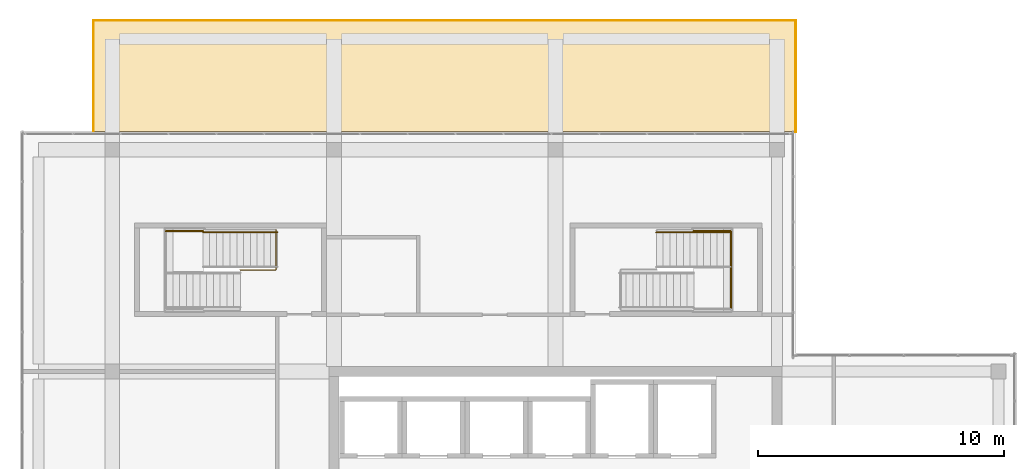
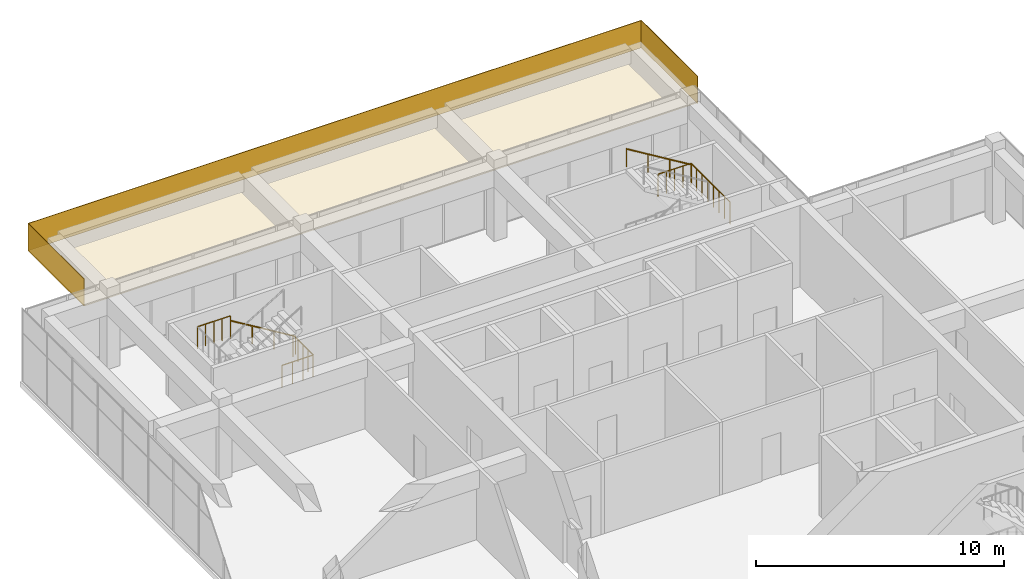
# One storey, part 35 of 35: 6 railings, 2 coverings.
"""IFC4 building model written with IfcOpenShell, lengths in metres."""

from ifc_helpers import new_model, si_unit, direction, frame, origin, origin_2d, place, context, subcontext, project, spatial, polyline, circle, outline, extrude, material, layer, layer_set, type_object, element, save


model = new_model("IFC4")

# Units and contexts
model_context = context("Model", 3, precision=1e-05, world=origin(), true_north=direction((0.0, 1.0)))
body_context = subcontext(model_context, "Body", "Model", "MODEL_VIEW")
ifc_project = project(units=[si_unit("LENGTHUNIT", "METRE"), si_unit("AREAUNIT", "SQUARE_METRE"), si_unit("VOLUMEUNIT", "CUBIC_METRE"), si_unit("PLANEANGLEUNIT", "RADIAN"), si_unit("MASSUNIT", "GRAM", prefix="KILO")], contexts=[model_context])

# Site, building, storey
site_placement = place(None, origin())
site = spatial("IfcSite", under=ifc_project, at=site_placement, CompositionType="ELEMENT")
building_placement = place(site_placement, origin())
building = spatial("IfcBuilding", under=site, at=building_placement, Name="Tuart Plaza Theatre", CompositionType="ELEMENT")
storey_placement = place(building_placement, frame((0.0, 0.0, 49.5)))
storey = spatial("IfcBuildingStorey", under=building, at=storey_placement, Name="L12", CompositionType="ELEMENT", Elevation=49.5)

# Coverings
ifc_material_1 = material(Name="Zinc")
ifc_layer_1 = layer(ifc_material_1, 0.02490234375)
ifc_layer_set_1 = layer_set([ifc_layer_1], Name="COVERING-ZINC-FASCIA25")
covering_type_1 = type_object("IfcCoveringType", Name="COVERING-ZINC-FASCIA25", PredefinedType="CLADDING", material=ifc_layer_set_1)
covering_1_placement = place(storey_placement, frame((0.0, 0.0, 2.655029296875)))
element("IfcCovering", 1, at=covering_1_placement, inside=storey, type_object=covering_type_1, Name="CL93", PredefinedType="CLADDING", context=body_context, shape_type="SweptSolid", body=[
    extrude(outline(polyline([(141.77490234375, 92.72509765625), (141.750244140625, 92.72509765625), (141.750244140625, 92.75), (141.750244140625, 92.75), (141.750244140625, 92.75), (141.750244140625, 92.75), (141.75, 92.75), (141.75, 92.750244140625), (141.75, 92.750244140625), (141.75, 92.750244140625), (141.75, 92.750244140625), (141.75, 97.25), (113.25, 97.25), (113.25, 92.750244140625), (113.22509765625, 92.750244140625), (113.22509765625, 97.27490234375), (141.77490234375, 97.27490234375), (141.77490234375, 92.72509765625)])), origin(), (0.0, 0.0, 1.0), 1.344970703125),
])
ifc_material_2 = material(Name="Zinc")
ifc_layer_2 = layer(ifc_material_2, 0.02490234375)
ifc_layer_set_2 = layer_set([ifc_layer_2], Name="COVERING-ZINC-SOFFIT25")
covering_type_2 = type_object("IfcCoveringType", Name="COVERING-ZINC-SOFFIT25", PredefinedType="CLADDING", material=ifc_layer_set_2)
covering_2_placement = place(storey_placement, frame((0.0, 0.0, 2.655029296875)))
element("IfcCovering", 2, at=covering_2_placement, inside=storey, type_object=covering_type_2, Name="CL92", PredefinedType="CLADDING", context=body_context, shape_type="SweptSolid", body=[
    extrude(outline(polyline([(113.25, 97.25), (141.75, 97.25), (141.75, 92.75), (113.25, 92.75), (113.25, 97.25)])), origin(), (0.0, 0.0, 1.0), 0.02490234375),
])

# Railings
ifc_material_3 = material(Name="Steel Grade C350L0", Category="steel")
railing_type_1 = type_object("IfcRailingType", Name="RAILING Guard 1100", PredefinedType="GUARDRAIL", material=ifc_material_3)
railing_1_placement = place(storey_placement, frame((139.1298828125, 85.550048828125, 2.0)))
element("IfcRailing", 3, at=railing_1_placement, inside=storey, type_object=railing_type_1, Name="GR341", PredefinedType="GUARDRAIL", context=body_context, shape_type="SweptSolid", body=[
    extrude(circle(Radius=0.02490234375, at=origin_2d()), frame((0.0, 0.0, 1.0751953125), z_axis=(0.0, 1.0, 0.0), x_axis=(-1.0, 0.0, 0.0)), (0.0, 0.0, 1.0), 3.14990234375),
    extrude(circle(Radius=0.02001953125, at=origin_2d()), origin(), (0.0, 0.0, 1.0), 1.050048828125),
    extrude(circle(Radius=0.02001953125, at=origin_2d()), frame((0.0, 0.449951171875, 0.0)), (0.0, 0.0, 1.0), 1.050048828125),
    extrude(circle(Radius=0.02001953125, at=origin_2d()), frame((0.0, 0.89990234375, 0.0)), (0.0, 0.0, 1.0), 1.050048828125),
    extrude(circle(Radius=0.02001953125, at=origin_2d()), frame((0.0, 1.349853515625, 0.0)), (0.0, 0.0, 1.0), 1.050048828125),
    extrude(circle(Radius=0.02001953125, at=origin_2d()), frame((0.0, 1.800048828125, 0.0)), (0.0, 0.0, 1.0), 1.050048828125),
    extrude(circle(Radius=0.02001953125, at=origin_2d()), frame((0.0, 2.25, 0.0)), (0.0, 0.0, 1.0), 1.050048828125),
    extrude(circle(Radius=0.02001953125, at=origin_2d()), frame((0.0, 2.699951171875, 0.0)), (0.0, 0.0, 1.0), 1.050048828125),
    extrude(circle(Radius=0.02001953125, at=origin_2d()), frame((0.0, 3.14990234375, 0.0)), (0.0, 0.0, 1.0), 1.050048828125),
])
railing_2_placement = place(storey_placement, frame((139.1298828125, 88.699951171875, 2.0)))
element("IfcRailing", 4, at=railing_2_placement, inside=storey, type_object=railing_type_1, Name="GR342", PredefinedType="GUARDRAIL", context=body_context, shape_type="SweptSolid", body=[
    extrude(circle(Radius=0.02490234375, at=origin_2d()), frame((0.0, 0.0, 1.0751953125), z_axis=(-1.0, 0.0, 0.0), x_axis=(0.0, -1.0, 0.0)), (0.0, 0.0, 1.0), 1.52978515625),
    extrude(circle(Radius=0.02001953125, at=origin_2d()), origin(), (0.0, 0.0, 1.0), 1.050048828125),
    extrude(circle(Radius=0.02001953125, at=origin_2d()), frame((-0.38232421875, 0.0, 0.0)), (0.0, 0.0, 1.0), 1.050048828125),
    extrude(circle(Radius=0.02001953125, at=origin_2d()), frame((-0.764892578125, 0.0, 0.0)), (0.0, 0.0, 1.0), 1.050048828125),
    extrude(circle(Radius=0.02001953125, at=origin_2d()), frame((-1.1474609375, 0.0, 0.0)), (0.0, 0.0, 1.0), 1.050048828125),
    extrude(circle(Radius=0.02001953125, at=origin_2d()), frame((-1.52978515625, 0.0, 0.0)), (0.0, 0.0, 1.0), 1.050048828125),
])
railing_3_placement = place(storey_placement, frame((120.64501953125, 88.75, 0.0)))
element("IfcRailing", 5, at=railing_3_placement, inside=storey, type_object=railing_type_1, Name="GR412", PredefinedType="GUARDRAIL", context=body_context, shape_type="SweptSolid", body=[
    extrude(circle(Radius=0.02490234375, at=origin_2d()), frame((0.0, 0.0, 1.0751953125), z_axis=(0.0, -1.0, 0.0), x_axis=(1.0, 0.0, 0.0)), (0.0, 0.0, 1.0), 1.625),
    extrude(circle(Radius=0.02490234375, at=origin_2d()), frame((0.0, -1.625, 1.0751953125), z_axis=(-1.0, 0.0, 0.0), x_axis=(0.0, -1.0, 0.0)), (0.0, 0.0, 1.0), 1.455078125),
    extrude(circle(Radius=0.02001953125, at=origin_2d()), origin(), (0.0, 0.0, 1.0), 1.050048828125),
    extrude(circle(Radius=0.02001953125, at=origin_2d()), frame((0.0, -0.40625, 0.0)), (0.0, 0.0, 1.0), 1.050048828125),
    extrude(circle(Radius=0.02001953125, at=origin_2d()), frame((0.0, -0.8125, 0.0)), (0.0, 0.0, 1.0), 1.050048828125),
    extrude(circle(Radius=0.02001953125, at=origin_2d()), frame((0.0, -1.21875, 0.0)), (0.0, 0.0, 1.0), 1.050048828125),
    extrude(circle(Radius=0.02001953125, at=origin_2d()), frame((0.0, -1.625, 0.0)), (0.0, 0.0, 1.0), 1.050048828125),
    extrude(circle(Radius=0.02001953125, at=origin_2d()), frame((-0.485107421875, -1.625, 0.0)), (0.0, 0.0, 1.0), 1.050048828125),
    extrude(circle(Radius=0.02001953125, at=origin_2d()), frame((-0.969970703125, -1.625, 0.0)), (0.0, 0.0, 1.0), 1.050048828125),
    extrude(circle(Radius=0.02001953125, at=origin_2d()), frame((-1.455078125, -1.625, 0.0)), (0.0, 0.0, 1.0), 1.050048828125),
])
railing_4_placement = place(storey_placement, frame((117.699951171875, 88.699951171875, 2.0)))
element("IfcRailing", 6, at=railing_4_placement, inside=storey, type_object=railing_type_1, Name="GR419", PredefinedType="GUARDRAIL", context=body_context, shape_type="SweptSolid", body=[
    extrude(circle(Radius=0.02490234375, at=origin_2d()), frame((0.0, 0.0, 1.0751953125), z_axis=(-1.0, 0.0, 0.0), x_axis=(0.0, -1.0, 0.0)), (0.0, 0.0, 1.0), 1.530029296875),
    extrude(circle(Radius=0.02001953125, at=origin_2d()), origin(), (0.0, 0.0, 1.0), 1.050048828125),
    extrude(circle(Radius=0.02001953125, at=origin_2d()), frame((-0.382568359375, 0.0, 0.0)), (0.0, 0.0, 1.0), 1.050048828125),
    extrude(circle(Radius=0.02001953125, at=origin_2d()), frame((-0.76513671875, 0.0, 0.0)), (0.0, 0.0, 1.0), 1.050048828125),
    extrude(circle(Radius=0.02001953125, at=origin_2d()), frame((-1.1474609375, 0.0, 0.0)), (0.0, 0.0, 1.0), 1.050048828125),
    extrude(circle(Radius=0.02001953125, at=origin_2d()), frame((-1.530029296875, 0.0, 0.0)), (0.0, 0.0, 1.0), 1.050048828125),
])
ifc_material_4 = material(Name="Steel Grade C350L0", Category="steel")
railing_type_2 = type_object("IfcRailingType", Name="RAILING Handrail 900", PredefinedType="HANDRAIL", material=ifc_material_4)
for number, where, name in (
    (7, (139.1201171875, 88.64990234375, 2.166748046875), "HR230"),
    (8, (120.705078125, 88.64990234375, 0.166748046875), "HR292"),
):
    element("IfcRailing", number, at=place(storey_placement, frame(where)), inside=storey, type_object=railing_type_2, Name=name, PredefinedType="HANDRAIL", context=body_context, shape_type="SweptSolid", body=[
        extrude(circle(Radius=0.0224609375, at=origin_2d()), frame((0.0, 0.0, 0.87744140625), z_axis=(-0.855219153138, 0.0, 0.518266533848), x_axis=(0.0, -1.0, 0.0)), (0.0, 0.0, 1.0), 3.537353515625),
        extrude(circle(Radius=0.01513671875, at=origin_2d()), origin(), (0.0, 0.0, 1.0), 0.85498046875),
        extrude(circle(Radius=0.01513671875, at=origin_2d()), frame((-1.00830078125, 0.0, 0.611083984375)), (0.0, 0.0, 1.0), 0.85498046875),
        extrude(circle(Radius=0.01513671875, at=origin_2d()), frame((-2.016845703125, 0.0, 1.22216796875)), (0.0, 0.0, 1.0), 0.85498046875),
        extrude(circle(Radius=0.01513671875, at=origin_2d()), frame((-3.025146484375, 0.0, 1.833251953125)), (0.0, 0.0, 1.0), 0.85498046875),
    ])

save(model, "model.ifc")
